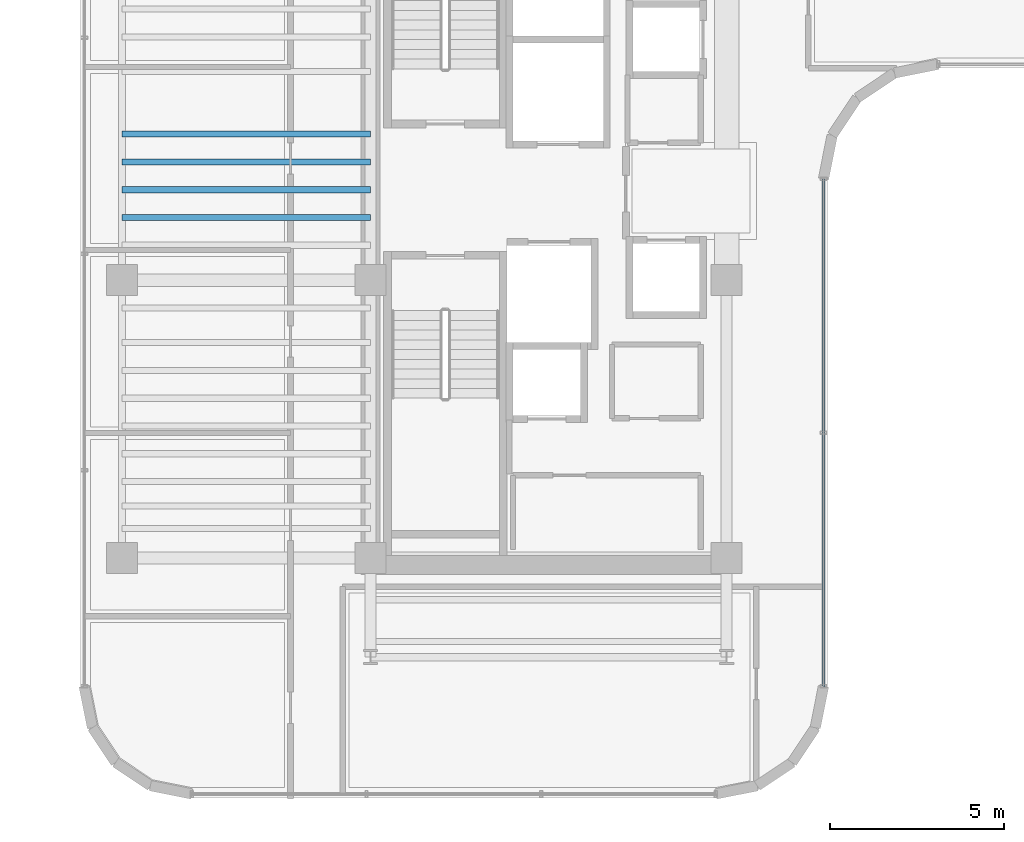
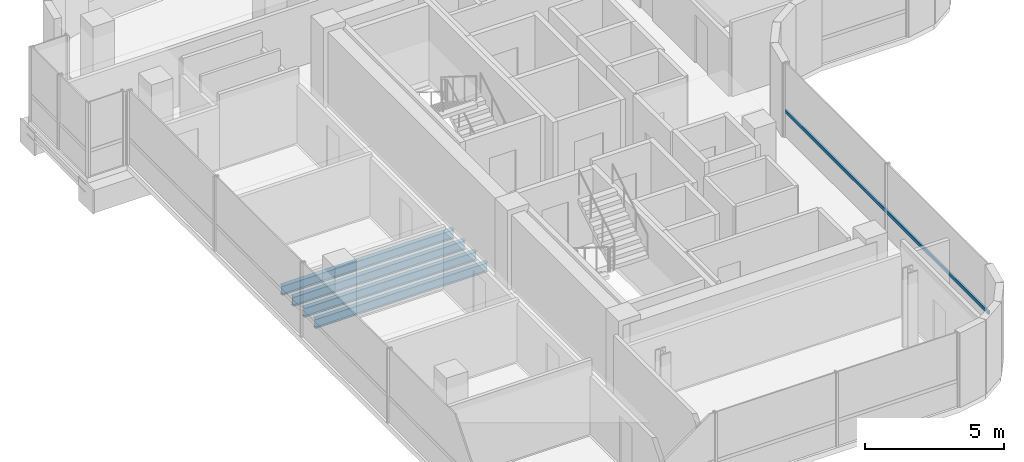
# One storey, part 7 of 21: 4 beams, 1 member, 1 element without a shape of its own.
"""IFC4 building model written with IfcOpenShell, lengths in metres."""

from ifc_helpers import new_model, si_unit, direction, frame, origin, origin_2d, place, context, subcontext, project, spatial, hollow_rectangle, i_section, extrude, source, transform, mapped, material, material_profile, profile_set, type_object, element, aggregate, save


model = new_model("IFC4")

# Units and contexts
model_context = context("Model", 3, precision=1e-05, world=origin(), true_north=direction((0.0, 1.0)))
body_context = subcontext(model_context, "Body", "Model", "MODEL_VIEW")
ifc_project = project(units=[si_unit("LENGTHUNIT", "METRE"), si_unit("AREAUNIT", "SQUARE_METRE"), si_unit("VOLUMEUNIT", "CUBIC_METRE"), si_unit("PLANEANGLEUNIT", "RADIAN"), si_unit("MASSUNIT", "GRAM", prefix="KILO")], contexts=[model_context])

# Site, building, storey
site_placement = place(None, origin())
site = spatial("IfcSite", under=ifc_project, at=site_placement, CompositionType="ELEMENT")
building_placement = place(site_placement, origin())
building = spatial("IfcBuilding", under=site, at=building_placement, Name="Valdorenza Pilgrim Sanctuary Tower", CompositionType="ELEMENT")
storey_placement = place(building_placement, frame((0.0, 0.0, 219.5)))
storey = spatial("IfcBuildingStorey", under=building, at=storey_placement, Name="L56", CompositionType="ELEMENT", Elevation=219.5)

# Beams
ifc_material_1 = material(Name="Steel ASTM A992 Grade 50", Category="steel")
ifc_material_profile_1 = material_profile(ifc_material_1, i_section(OverallWidth=0.177978515625, OverallDepth=0.406005859375, WebThickness=0.0078125, FlangeThickness=0.0126953125, at=origin_2d()), Name="W16X40")
ifc_profile_set_1 = profile_set([ifc_material_profile_1], Name="Steel ASTM A992 Grade 50")
beam_type = type_object("IfcBeamType", Name="STR-BM-JST-W16", PredefinedType="JOIST", material=ifc_profile_set_1)
shared_shape_1 = source(origin(), body_context, "Body", "SweptSolid", [
    extrude(i_section(OverallWidth=0.177978515625, OverallDepth=0.406005859375, WebThickness=0.0078125, FlangeThickness=0.0126953125, at=origin_2d()), origin(), (0.0, 0.0, 1.0), 7.150146484375),
])
for number, where, z_axis, x_axis, name in (
    (1, (-29.800048828125, -0.800048828125, -0.443115234375), (1.0, 0.0, 0.0), (0.0, 1.0, 0.0), "L56 Composite Floor Joist JST-WA-11"),
    (2, (-29.800048828125, 0.0, -0.443115234375), (1.0, 0.0, 0.0), (0.0, 1.0, 0.0), "L56 Composite Floor Joist JST-WA-12"),
    (3, (-29.800048828125, 0.800048828125, -0.443115234375), (1.0, 0.0, 0.0), (0.0, 1.0, 0.0), "L56 Composite Floor Joist JST-WA-13"),
    (4, (-29.800048828125, 1.60009765625, -0.443115234375), (1.0, 0.0, 0.0), (0.0, 1.0, 0.0), "L56 Composite Floor Joist JST-WA-14"),
):
    element("IfcBeam", number, at=place(storey_placement, frame(where, z_axis=z_axis, x_axis=x_axis)), inside=storey, type_object=beam_type, Name=name, PredefinedType="JOIST", context=body_context, shape_type="MappedRepresentation", body=[
        mapped(shared_shape_1, transform((0.0, 0.0, 0.0), x_axis=(1.0, 0.0, 0.0), y_axis=(0.0, 1.0, 0.0), z_axis=(0.0, 0.0, 1.0), scale=1.0)),
    ])

# Curtain wall, member
ifc_material_2 = material(Name="Curtain-wall IGU glazing", Category="glass")
curtain_wall_type = type_object("IfcCurtainWallType", Name="CW-SYS-02", PredefinedType="NOTDEFINED", material=ifc_material_2)
curtain_wall_placement = place(storey_placement, origin())
curtain_wall = element("IfcCurtainWall", 5, at=curtain_wall_placement, inside=storey, type_object=curtain_wall_type, Name="L56 Curtain Wall CW-L56-1-21", PredefinedType="NOTDEFINED")
ifc_material_3 = material(Name="Anodised aluminium AW-6060", Category="aluminium")
ifc_material_profile_2 = material_profile(ifc_material_3, hollow_rectangle(XDim=0.074951171875, YDim=0.14990234375, WallThickness=0.00390625, at=origin_2d()), Name="ALU-T 150x75x4")
ifc_profile_set_2 = profile_set([ifc_material_profile_2], Name="Anodised aluminium AW-6060")
member_type = type_object("IfcMemberType", Name="CW-TRN-02", PredefinedType="USERDEFINED", material=ifc_profile_set_2)
shared_shape_2 = source(origin(), body_context, "Body", "SweptSolid", [
    extrude(hollow_rectangle(XDim=0.074951171875, YDim=0.14990234375, WallThickness=0.00390625, at=origin_2d()), origin(), (0.0, 0.0, 1.0), 14.60009765625),
])
member_placement = place(storey_placement, frame((-9.610107421875, 0.310791015625, 1.1201171875), z_axis=(0.0, -1.0, 0.0), x_axis=(1.0, 0.0, 0.0)))
member = element("IfcMember", 6, at=member_placement, type_object=member_type, Name="CW-L56-1-21 Transom 1", ObjectType="TRANSOM", PredefinedType="USERDEFINED", context=body_context, shape_type="MappedRepresentation", body=[
    mapped(shared_shape_2, transform((0.0, 0.0, 0.0), x_axis=(1.0, 0.0, 0.0), y_axis=(0.0, 1.0, 0.0), z_axis=(0.0, 0.0, 1.0), scale=1.0)),
])
aggregate(curtain_wall, [member])

save(model, "model.ifc")
